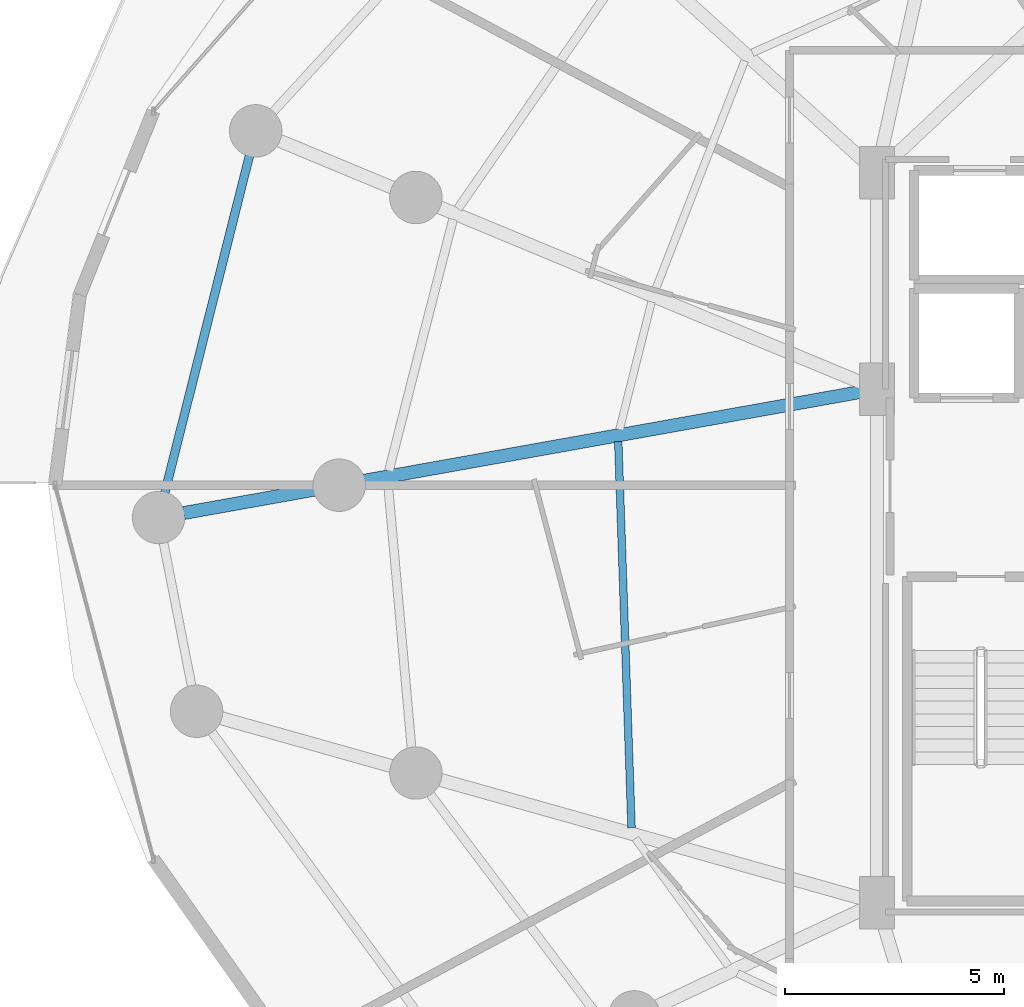
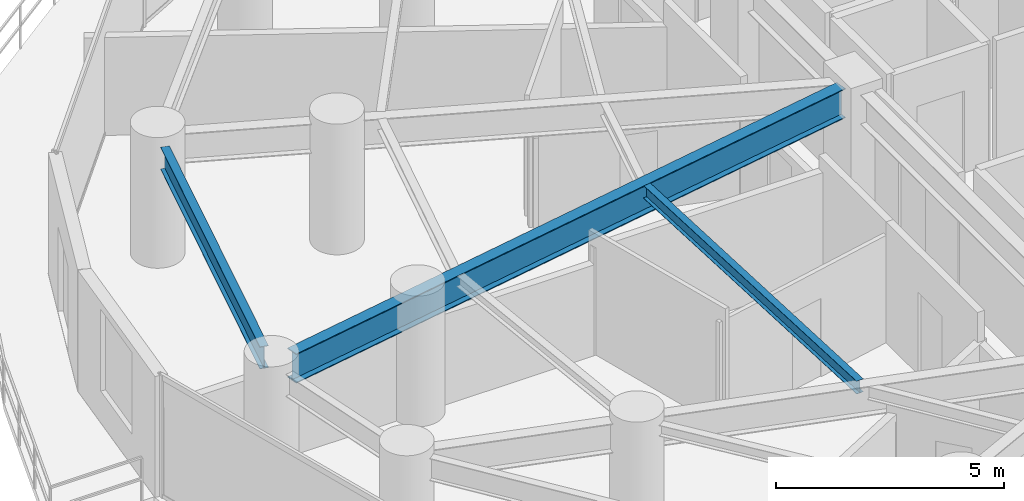
# One storey, part 9 of 34: 3 beams.
"""IFC4 building model written with IfcOpenShell, lengths in metres."""

from ifc_helpers import new_model, si_unit, direction, frame, origin, origin_2d, place, context, subcontext, project, spatial, i_section, extrude, material, material_profile, profile_set, type_object, element, save


model = new_model("IFC4")

# Units and contexts
model_context = context("Model", 3, precision=1e-05, world=origin(), true_north=direction((0.0, 1.0)))
body_context = subcontext(model_context, "Body", "Model", "MODEL_VIEW")
ifc_project = project(units=[si_unit("LENGTHUNIT", "METRE"), si_unit("AREAUNIT", "SQUARE_METRE"), si_unit("VOLUMEUNIT", "CUBIC_METRE"), si_unit("PLANEANGLEUNIT", "RADIAN"), si_unit("MASSUNIT", "GRAM", prefix="KILO")], contexts=[model_context])

# Site, building, storey
site_placement = place(None, origin())
site = spatial("IfcSite", under=ifc_project, at=site_placement, CompositionType="ELEMENT")
building_placement = place(site_placement, origin())
building = spatial("IfcBuilding", under=site, at=building_placement, Name="Vorneva Point Tower", CompositionType="ELEMENT")
storey_placement = place(building_placement, frame((0.0, 0.0, 62.5)))
storey = spatial("IfcBuildingStorey", under=building, at=storey_placement, Name="L16", CompositionType="ELEMENT", Elevation=62.5)

# Beams
ifc_material = material(Name="Steel S355", Category="steel")
ifc_material_profile_1 = material_profile(ifc_material, i_section(OverallWidth=0.300048828125, OverallDepth=0.7880859375, WebThickness=0.014404296875, FlangeThickness=0.02197265625, at=origin_2d()), Name="80Sh1")
ifc_profile_set_1 = profile_set([ifc_material_profile_1], Name="Steel S355")
beam_type_1 = type_object("IfcBeamType", Name="BM-GRD-80Sh1", PredefinedType="USERDEFINED", material=ifc_profile_set_1)
beam_1_placement = place(storey_placement, frame((11.396728515625, 25.364501953125, 2.845947265625), z_axis=(0.984378532035, 0.176065060895, 0.0), x_axis=(-0.176065060895, 0.984378532035, 0.0)))
element("IfcBeam", 1, at=beam_1_placement, inside=storey, type_object=beam_type_1, Name="L16 Radial Primary Girder 09", ObjectType="GIRDER", PredefinedType="USERDEFINED", context=body_context, shape_type="SweptSolid", body=[
    extrude(i_section(OverallWidth=0.300048828125, OverallDepth=0.7880859375, WebThickness=0.014404296875, FlangeThickness=0.02197265625, at=origin_2d()), origin(), (0.0, 0.0, 1.0), 15.764892578125),
])
ifc_material_profile_2 = material_profile(ifc_material, i_section(OverallWidth=0.174072265625, OverallDepth=0.345947265625, WebThickness=0.006103515625, FlangeThickness=0.009033203125, at=origin_2d()), Name="35B1")
ifc_profile_set_2 = profile_set([ifc_material_profile_2], Name="Steel S355")
beam_type_2 = type_object("IfcBeamType", Name="BM-SEC-35B1", PredefinedType="BEAM", material=ifc_profile_set_2)
beam_2_placement = place(storey_placement, frame((21.333251953125, 27.0029296875, 3.06689453125), z_axis=(0.034376685705, -0.999408947068, 0.0), x_axis=(0.999408947068, 0.034376685705, 0.0)))
element("IfcBeam", 2, at=beam_2_placement, inside=storey, type_object=beam_type_2, Name="L16 Secondary Floor Beam 2.09", PredefinedType="BEAM", context=body_context, shape_type="SweptSolid", body=[
    extrude(i_section(OverallWidth=0.174072265625, OverallDepth=0.345947265625, WebThickness=0.006103515625, FlangeThickness=0.009033203125, at=origin_2d()), origin(), (0.0, 0.0, 1.0), 8.841796875),
])
ifc_material_profile_3 = material_profile(ifc_material, i_section(OverallWidth=0.198974609375, OverallDepth=0.595947265625, WebThickness=0.010009765625, FlangeThickness=0.014892578125, at=origin_2d()), Name="60B1")
ifc_profile_set_3 = profile_set([ifc_material_profile_3], Name="Steel S355")
beam_type_3 = type_object("IfcBeamType", Name="BM-SPN-60B1", PredefinedType="SPANDREL", material=ifc_profile_set_3)
beam_3_placement = place(storey_placement, frame((12.896484375, 33.5380859375, 2.94189453125), z_axis=(-0.243554441672, -0.969887227435, 0.0), x_axis=(0.969887227435, -0.243554441672, 0.0)))
element("IfcBeam", 3, at=beam_3_placement, inside=storey, type_object=beam_type_3, Name="L16 Perimeter Spandrel Ring Beam 08", PredefinedType="SPANDREL", context=body_context, shape_type="SweptSolid", body=[
    extrude(i_section(OverallWidth=0.198974609375, OverallDepth=0.595947265625, WebThickness=0.010009765625, FlangeThickness=0.014892578125, at=origin_2d()), origin(), (0.0, 0.0, 1.0), 7.948974609375),
])

save(model, "model.ifc")
